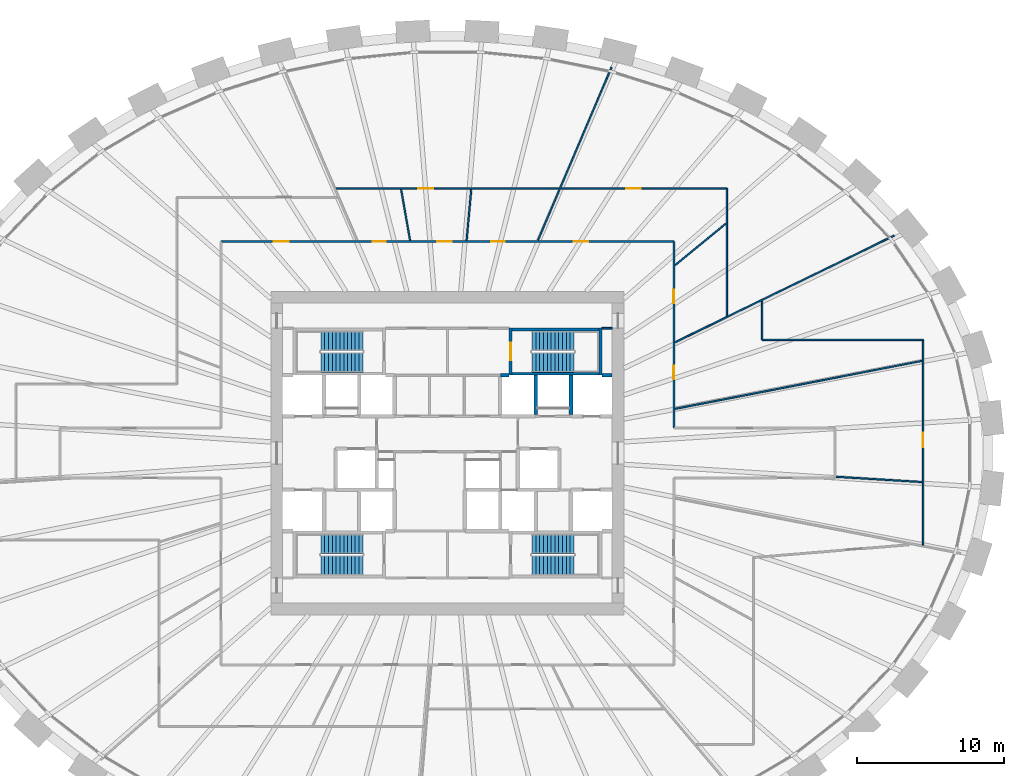
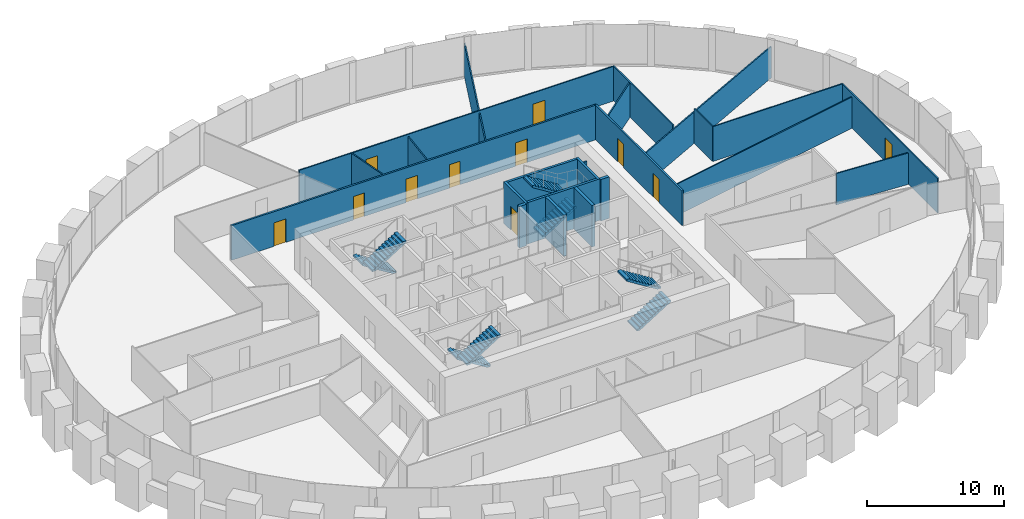
# One storey, part 9 of 10: 23 walls, 11 doors, 8 stair flights, 11 openings, 4 elements without a shape of their own.
"""IFC4 building model written with IfcOpenShell, lengths in metres."""

from ifc_helpers import new_model, si_unit, direction, frame, frame_2d, origin, place, context, subcontext, project, spatial, polyline, rectangle, outline, extrude, source, transform, mapped, material, layer, layer_set, type_object, element, fill, aggregate, save


model = new_model("IFC4")

# Units and contexts
model_context = context("Model", 3, precision=1e-05, world=origin(), true_north=direction((0.0, 1.0)))
body_context = subcontext(model_context, "Body", "Model", "MODEL_VIEW")
ifc_project = project(units=[si_unit("LENGTHUNIT", "METRE"), si_unit("AREAUNIT", "SQUARE_METRE"), si_unit("VOLUMEUNIT", "CUBIC_METRE"), si_unit("PLANEANGLEUNIT", "RADIAN"), si_unit("MASSUNIT", "GRAM", prefix="KILO")], contexts=[model_context])

# Site, building, storey
site_placement = place(None, origin())
site = spatial("IfcSite", under=ifc_project, at=site_placement, CompositionType="ELEMENT")
building_placement = place(site_placement, origin())
building = spatial("IfcBuilding", under=site, at=building_placement, Name="Embergate Tower", CompositionType="ELEMENT")
storey_placement = place(building_placement, frame((0.0, 0.0, 183.300048828125)))
storey = spatial("IfcBuildingStorey", under=building, at=storey_placement, Name="L41", CompositionType="ELEMENT", Elevation=183.300048828125)

# Walls
ifc_material_1 = material(Name="Concrete C50", Category="concrete")
ifc_layer_1 = layer(ifc_material_1, 0.25)
ifc_layer_set_1 = layer_set([ifc_layer_1], Name="Concrete C50")
wall_type_1 = type_object("IfcWallType", Name="Hoistway wall reinforced concrete 250", PredefinedType="SHEAR", material=ifc_layer_set_1)
shared_shape_1 = source(origin(), body_context, "Body", "SweptSolid", [
    extrude(rectangle(XDim=2.675048828125, YDim=0.25, at=frame_2d((1.33740234375, 0.0))), origin(), (0.0, 0.0, 1.0), 3.699951171875),
])
for number, where, z_axis, x_axis, name in (
    (1, (6.0, 2.625, 0.0), (0.0, 0.0, 1.0), (0.0, 1.0, 0.0), "HW-1 wall"),
    (2, (8.39990234375, 2.625, 0.0), (0.0, 0.0, 1.0), (0.0, 1.0, 0.0), "HW-1 wall"),
):
    element("IfcWall", number, at=place(storey_placement, frame(where, z_axis=z_axis, x_axis=x_axis)), inside=storey, type_object=wall_type_1, Name=name, PredefinedType="SHEAR", context=body_context, shape_type="MappedRepresentation", body=[
        mapped(shared_shape_1, transform((0.0, 0.0, 0.0))),
    ])
ifc_layer_2 = layer(ifc_material_1, 0.199951171875)
ifc_layer_set_2 = layer_set([ifc_layer_2], Name="Concrete C50")
wall_type_2 = type_object("IfcWallType", Name="Stair enclosure wall reinforced concrete 250", PredefinedType="SHEAR", material=ifc_layer_set_2)
shared_shape_2 = source(origin(), body_context, "Body", "SweptSolid", [
    extrude(rectangle(XDim=6.300048828125, YDim=0.199951171875, at=frame_2d((3.14990234375, 0.0))), origin(), (0.0, 0.0, 1.0), 3.699951171875),
])
for number, where, z_axis, x_axis, name in (
    (3, (10.5, 5.39990234375, 0.0), (0.0, 0.0, 1.0), (-1.0, 0.0, 0.0), "SE-1 wall"),
    (4, (10.5, 8.39990234375, 0.0), (0.0, 0.0, 1.0), (-1.0, 0.0, 0.0), "SE-1 wall"),
):
    element("IfcWall", number, at=place(storey_placement, frame(where, z_axis=z_axis, x_axis=x_axis)), inside=storey, type_object=wall_type_2, Name=name, PredefinedType="SHEAR", context=body_context, shape_type="MappedRepresentation", body=[
        mapped(shared_shape_2, transform((0.0, 0.0, 0.0))),
    ])

# Wall, opening, door
shared_shape_3 = source(origin(), body_context, "Body", "SweptSolid", [
    extrude(rectangle(XDim=3.199951171875, YDim=0.199951171875, at=frame_2d((1.60009765625, 0.0))), origin(), (0.0, 0.0, 1.0), 3.699951171875),
])
wall_1_placement = place(storey_placement, frame((4.300048828125, 8.5, 0.0), z_axis=(0.0, 0.0, 1.0), x_axis=(0.0, -1.0, 0.0)))
wall_1 = element("IfcWall", 5, at=wall_1_placement, inside=storey, type_object=wall_type_2, Name="SE-1 wall", PredefinedType="SHEAR", context=body_context, shape_type="MappedRepresentation", body=[
    mapped(shared_shape_3, transform((0.0, 0.0, 0.0))),
])
shared_shape_4 = source(origin(), body_context, "Body", "SweptSolid", [
    extrude(rectangle(XDim=1.199951171875, YDim=2.10009765625, at=frame_2d((0.60009765625, 1.050048828125))), frame((0.0, 0.10986328125, 0.0), z_axis=(0.0, -1.0, 0.0), x_axis=(1.0, 0.0, 0.0)), (0.0, 0.0, 1.0), 0.219970703125),
])
opening_1_placement = place(wall_1_placement, frame((1.0, 0.0, 0.0)))
opening_1 = element("IfcOpeningElement", 6, at=opening_1_placement, cuts=wall_1, Name="Opening IF-2", PredefinedType="OPENING", context=body_context, shape_type="MappedRepresentation", body=[
    mapped(shared_shape_4, transform((0.0, 0.0, 0.0))),
])
ifc_material_2 = material(Name="Stair enclosure door 1200")
door_type_1 = type_object("IfcDoorType", Name="Stair enclosure door 1200", OperationType="SINGLE_SWING_LEFT", PredefinedType="DOOR", material=ifc_material_2)
shared_shape_5 = source(origin(), body_context, "Body", "SweptSolid", [
    extrude(rectangle(XDim=1.199951171875, YDim=2.10009765625, at=frame_2d((0.60009765625, 1.050048828125))), frame((0.0, 0.02490234375, 0.0), z_axis=(0.0, -1.0, 0.0), x_axis=(1.0, 0.0, 0.0)), (0.0, 0.0, 1.0), 0.050048828125),
])
door_1_placement = place(opening_1_placement, origin())
door_1 = element("IfcDoor", 7, at=door_1_placement, inside=storey, type_object=door_type_1, Name="IF-2 door", OperationType="SINGLE_SWING_LEFT", OverallHeight=2.10009765625, OverallWidth=1.199951171875, PredefinedType="DOOR", context=body_context, shape_type="MappedRepresentation", body=[
    mapped(shared_shape_5, transform((0.0, 0.0, 0.0))),
])
fill(opening_1, door_1)

# Walls
shared_shape_6 = source(origin(), body_context, "Body", "SweptSolid", [
    extrude(rectangle(XDim=0.599853515625, YDim=0.25, at=frame_2d((0.2998046875, 0.0))), origin(), (0.0, 0.0, 1.0), 3.699951171875),
])
wall_2_placement = place(storey_placement, frame((4.199951171875, 5.300048828125, 0.0), z_axis=(0.0, 0.0, 1.0), x_axis=(-1.0, 0.0, 0.0)))
element("IfcWall", 8, at=wall_2_placement, inside=storey, type_object=wall_type_1, Name="HW-1 wall", PredefinedType="SHEAR", context=body_context, shape_type="MappedRepresentation", body=[
    mapped(shared_shape_6, transform((0.0, 0.0, 0.0))),
])
shared_shape_7 = source(origin(), body_context, "Body", "SweptSolid", [
    extrude(rectangle(XDim=3.196044921875, YDim=0.199951171875, at=frame_2d((1.59814453125, 0.0))), origin(), (0.0, 0.0, 1.0), 3.699951171875),
])
wall_3_placement = place(storey_placement, frame((10.39990234375, 5.302001953125, 0.0), z_axis=(0.0, 0.0, 1.0), x_axis=(0.0, 1.0, 0.0)))
element("IfcWall", 9, at=wall_3_placement, inside=storey, type_object=wall_type_2, Name="SE-1 wall", PredefinedType="SHEAR", context=body_context, shape_type="MappedRepresentation", body=[
    mapped(shared_shape_7, transform((0.0, 0.0, 0.0))),
])
shared_shape_8 = source(origin(), body_context, "Body", "SweptSolid", [
    extrude(rectangle(XDim=0.697998046875, YDim=0.25, at=frame_2d((0.34912109375, 0.0))), origin(), (0.0, 0.0, 1.0), 3.699951171875),
])
wall_4_placement = place(storey_placement, frame((11.199951171875, 5.300048828125, 0.0), z_axis=(0.0, 0.0, 1.0), x_axis=(-1.0, 0.0, 0.0)))
element("IfcWall", 10, at=wall_4_placement, inside=storey, type_object=wall_type_1, Name="HW-1 wall", PredefinedType="SHEAR", context=body_context, shape_type="MappedRepresentation", body=[
    mapped(shared_shape_8, transform((0.0, 0.0, 0.0))),
])
ifc_material_3 = material(Name="Core partition blockwork 120")
ifc_layer_3 = layer(ifc_material_3, 0.1201171875)
ifc_layer_set_3 = layer_set([ifc_layer_3], Name="Core partition blockwork 120")
wall_type_3 = type_object("IfcWallType", Name="Core partition blockwork 120", PredefinedType="PARTITIONING", material=ifc_layer_set_3)
shared_shape_9 = source(origin(), body_context, "Body", "SweptSolid", [
    extrude(rectangle(XDim=0.697998046875, YDim=0.1201171875, at=frame_2d((0.34912109375, 0.0))), origin(), (0.0, 0.0, 1.0), 3.099853515625),
])
wall_5_placement = place(storey_placement, frame((10.501953125, 8.5, 0.0), z_axis=(0.0, 0.0, 1.0), x_axis=(1.0, 0.0, 0.0)))
element("IfcWall", 11, at=wall_5_placement, inside=storey, type_object=wall_type_3, Name="IP-3 wall", PredefinedType="PARTITIONING", context=body_context, shape_type="MappedRepresentation", body=[
    mapped(shared_shape_9, transform((0.0, 0.0, 0.0))),
])
ifc_material_4 = material(Name="Partition dry-lined 100")
ifc_layer_4 = layer(ifc_material_4, 0.10009765625)
ifc_layer_set_4 = layer_set([ifc_layer_4], Name="Partition dry-lined 100")
wall_type_4 = type_object("IfcWallType", Name="Partition dry-lined 100", PredefinedType="PARTITIONING", material=ifc_layer_set_4)
shared_shape_10 = source(origin(), body_context, "Body", "SweptSolid", [
    extrude(rectangle(XDim=5.885986328125, YDim=0.10009765625, at=frame_2d((2.94287109375, 0.0))), origin(), (0.0, 0.0, 1.0), 2.800048828125),
])
wall_6_placement = place(storey_placement, frame((32.300048828125, -1.966064453125, 0.0), z_axis=(0.0, 0.0, 1.0), x_axis=(-0.998146954273, 0.060849467334, 0.0)))
element("IfcWall", 12, at=wall_6_placement, inside=storey, type_object=wall_type_4, Name="IP-1 wall", PredefinedType="PARTITIONING", context=body_context, shape_type="MappedRepresentation", body=[
    mapped(shared_shape_10, transform((0.0, 0.0, 0.0))),
])
shared_shape_11 = source(origin(), body_context, "Body", "SweptSolid", [
    extrude(rectangle(XDim=17.12060546875, YDim=0.10009765625, at=frame_2d((8.560302734375, 0.0))), origin(), (0.0, 0.0, 1.0), 2.800048828125),
])
wall_7_placement = place(storey_placement, frame((15.485107421875, 3.010986328125, 0.0), z_axis=(0.0, 0.0, 1.0), x_axis=(0.981612643598, 0.190883781211, 0.0)))
element("IfcWall", 13, at=wall_7_placement, inside=storey, type_object=wall_type_4, Name="IP-1 wall", PredefinedType="PARTITIONING", context=body_context, shape_type="MappedRepresentation", body=[
    mapped(shared_shape_11, transform((0.0, 0.0, 0.0))),
])
shared_shape_12 = source(origin(), body_context, "Body", "SweptSolid", [
    extrude(rectangle(XDim=16.563720703125, YDim=0.10009765625, at=frame_2d((8.28173828125, 0.0))), origin(), (0.0, 0.0, 1.0), 2.800048828125),
])
wall_8_placement = place(storey_placement, frame((15.4970703125, 7.547119140625, 0.0), z_axis=(0.0, 0.0, 1.0), x_axis=(0.899062324196, 0.437820667867, 0.0)))
element("IfcWall", 14, at=wall_8_placement, inside=storey, type_object=wall_type_4, Name="IP-1 wall", PredefinedType="PARTITIONING", context=body_context, shape_type="MappedRepresentation", body=[
    mapped(shared_shape_12, transform((0.0, 0.0, 0.0))),
])
shared_shape_13 = source(origin(), body_context, "Body", "SweptSolid", [
    extrude(rectangle(XDim=12.767333984375, YDim=0.10009765625, at=frame_2d((6.3837890625, 0.0))), origin(), (0.0, 0.0, 1.0), 2.89990234375),
])
wall_9_placement = place(storey_placement, frame((6.1650390625, 14.4951171875, 0.0), z_axis=(0.0, 0.0, 1.0), x_axis=(0.391395319475, 0.92022263822, 0.0)))
element("IfcWall", 15, at=wall_9_placement, inside=storey, type_object=wall_type_4, Name="IP-1 wall", PredefinedType="PARTITIONING", context=body_context, shape_type="MappedRepresentation", body=[
    mapped(shared_shape_13, transform((0.0, 0.0, 0.0))),
])
shared_shape_14 = source(origin(), body_context, "Body", "SweptSolid", [
    extrude(rectangle(XDim=3.489013671875, YDim=0.10009765625, at=frame_2d((1.74462890625, 0.0))), origin(), (0.0, 0.0, 1.0), 2.89990234375),
])
wall_10_placement = place(storey_placement, frame((1.306884765625, 14.47509765625, 0.0), z_axis=(0.0, 0.0, 1.0), x_axis=(0.090056243152, 0.995936681255, 0.0)))
element("IfcWall", 16, at=wall_10_placement, inside=storey, type_object=wall_type_4, Name="IP-1 wall", PredefinedType="PARTITIONING", context=body_context, shape_type="MappedRepresentation", body=[
    mapped(shared_shape_14, transform((0.0, 0.0, 0.0))),
])

# Wall, openings, doors
ifc_material_5 = material(Name="Corridor wall dry-lined 150")
ifc_layer_5 = layer(ifc_material_5, 0.14990234375)
ifc_layer_set_5 = layer_set([ifc_layer_5], Name="Corridor wall dry-lined 150")
wall_type_5 = type_object("IfcWallType", Name="Corridor wall dry-lined 150", PredefinedType="PARTITIONING", material=ifc_layer_set_5)
shared_shape_15 = source(origin(), body_context, "Body", "SweptSolid", [
    extrude(rectangle(XDim=12.699951171875, YDim=0.14990234375, at=frame_2d((6.35009765625, 0.0))), origin(), (0.0, 0.0, 1.0), 3.099853515625),
])
wall_11_placement = place(storey_placement, frame((15.39990234375, 14.39990234375, 0.0), z_axis=(0.0, 0.0, 1.0), x_axis=(0.0, -1.0, 0.0)))
wall_11 = element("IfcWall", 17, at=wall_11_placement, inside=storey, type_object=wall_type_5, Name="IP-2 wall", PredefinedType="PARTITIONING", context=body_context, shape_type="MappedRepresentation", body=[
    mapped(shared_shape_15, transform((0.0, 0.0, 0.0))),
])
shared_shape_16 = source(origin(), body_context, "Body", "SweptSolid", [
    extrude(rectangle(XDim=0.89990234375, YDim=2.10009765625, at=frame_2d((0.449951171875, 1.050048828125))), frame((0.0, 0.0849609375, 0.0), z_axis=(0.0, -1.0, 0.0), x_axis=(1.0, 0.0, 0.0)), (0.0, 0.0, 1.0), 0.169921875),
])
opening_2_placement = place(wall_11_placement, frame((8.4619140625, 0.0, 0.0)))
opening_2 = element("IfcOpeningElement", 18, at=opening_2_placement, cuts=wall_11, Name="Opening IF-1c", PredefinedType="OPENING", context=body_context, shape_type="MappedRepresentation", body=[
    mapped(shared_shape_16, transform((0.0, 0.0, 0.0))),
])
opening_3_placement = place(wall_11_placement, frame((3.2939453125, 0.0, 0.0)))
opening_3 = element("IfcOpeningElement", 19, at=opening_3_placement, cuts=wall_11, Name="Opening IF-1c", PredefinedType="OPENING", context=body_context, shape_type="MappedRepresentation", body=[
    mapped(shared_shape_16, transform((0.0, 0.0, 0.0))),
])
ifc_material_6 = material(Name="Escape fire door 900")
door_type_2 = type_object("IfcDoorType", Name="Escape fire door 900", OperationType="SINGLE_SWING_LEFT", PredefinedType="DOOR", material=ifc_material_6)
shared_shape_17 = source(origin(), body_context, "Body", "SweptSolid", [
    extrude(rectangle(XDim=0.89990234375, YDim=2.10009765625, at=frame_2d((0.449951171875, 1.050048828125))), frame((0.0, 0.02490234375, 0.0), z_axis=(0.0, -1.0, 0.0), x_axis=(1.0, 0.0, 0.0)), (0.0, 0.0, 1.0), 0.050048828125),
])
door_2_placement = place(opening_2_placement, origin())
door_2 = element("IfcDoor", 20, at=door_2_placement, inside=storey, type_object=door_type_2, Name="IF-1 door", OperationType="SINGLE_SWING_LEFT", OverallHeight=2.10009765625, OverallWidth=0.89990234375, PredefinedType="DOOR", context=body_context, shape_type="MappedRepresentation", body=[
    mapped(shared_shape_17, transform((0.0, 0.0, 0.0))),
])
fill(opening_2, door_2)
door_3_placement = place(opening_3_placement, origin())
door_3 = element("IfcDoor", 21, at=door_3_placement, inside=storey, type_object=door_type_2, Name="IF-1 door", OperationType="SINGLE_SWING_RIGHT", OverallHeight=2.10009765625, OverallWidth=0.89990234375, PredefinedType="DOOR", context=body_context, shape_type="MappedRepresentation", body=[
    mapped(shared_shape_17, transform((0.0, 0.0, 0.0))),
])
fill(opening_3, door_3)

shared_shape_18 = source(origin(), body_context, "Body", "SweptSolid", [
    extrude(rectangle(XDim=30.7998046875, YDim=0.14990234375, at=frame_2d((15.39990234375, 0.0))), origin(), (0.0, 0.0, 1.0), 3.099853515625),
])
wall_12_placement = place(storey_placement, frame((-15.39990234375, 14.39990234375, 0.0), z_axis=(0.0, 0.0, 1.0), x_axis=(1.0, 0.0, 0.0)))
wall_12 = element("IfcWall", 22, at=wall_12_placement, inside=storey, type_object=wall_type_5, Name="IP-2 wall", PredefinedType="PARTITIONING", context=body_context, shape_type="MappedRepresentation", body=[
    mapped(shared_shape_18, transform((0.0, 0.0, 0.0))),
])
shared_shape_19 = source(origin(), body_context, "Body", "SweptSolid", [
    extrude(rectangle(XDim=1.0, YDim=2.10009765625, at=frame_2d((0.5, 1.050048828125))), frame((0.0, 0.0849609375, 0.0), z_axis=(0.0, -1.0, 0.0), x_axis=(1.0, 0.0, 0.0)), (0.0, 0.0, 1.0), 0.169921875),
])
opening_4_placement = place(wall_12_placement, frame((23.97412109375, 0.0, 0.0)))
opening_4 = element("IfcOpeningElement", 23, at=opening_4_placement, cuts=wall_12, Name="Opening ID-2", PredefinedType="OPENING", context=body_context, shape_type="MappedRepresentation", body=[
    mapped(shared_shape_19, transform((0.0, 0.0, 0.0))),
])
opening_5_placement = place(wall_12_placement, frame((18.39697265625, 0.0, 0.0)))
opening_5 = element("IfcOpeningElement", 24, at=opening_5_placement, cuts=wall_12, Name="Opening IF-1c", PredefinedType="OPENING", context=body_context, shape_type="MappedRepresentation", body=[
    mapped(shared_shape_16, transform((0.0, 0.0, 0.0))),
])
opening_6_placement = place(wall_12_placement, frame((14.708984375, 0.0, 0.0)))
opening_6 = element("IfcOpeningElement", 25, at=opening_6_placement, cuts=wall_12, Name="Opening ID-2", PredefinedType="OPENING", context=body_context, shape_type="MappedRepresentation", body=[
    mapped(shared_shape_19, transform((0.0, 0.0, 0.0))),
])
opening_7_placement = place(wall_12_placement, frame((10.30908203125, 0.0, 0.0)))
opening_7 = element("IfcOpeningElement", 26, at=opening_7_placement, cuts=wall_12, Name="Opening IF-1c", PredefinedType="OPENING", context=body_context, shape_type="MappedRepresentation", body=[
    mapped(shared_shape_16, transform((0.0, 0.0, 0.0))),
])
opening_8_placement = place(wall_12_placement, frame((3.60009765625, 0.0, 0.0)))
opening_8 = element("IfcOpeningElement", 27, at=opening_8_placement, cuts=wall_12, Name="Opening ID-2", PredefinedType="OPENING", context=body_context, shape_type="MappedRepresentation", body=[
    mapped(shared_shape_19, transform((0.0, 0.0, 0.0))),
])
door_4_placement = place(opening_5_placement, origin())
door_4 = element("IfcDoor", 28, at=door_4_placement, inside=storey, type_object=door_type_2, Name="IF-1 door", OperationType="SINGLE_SWING_RIGHT", OverallHeight=2.10009765625, OverallWidth=0.89990234375, PredefinedType="DOOR", context=body_context, shape_type="MappedRepresentation", body=[
    mapped(shared_shape_17, transform((0.0, 0.0, 0.0))),
])
fill(opening_5, door_4)
door_5_placement = place(opening_7_placement, origin())
door_5 = element("IfcDoor", 29, at=door_5_placement, inside=storey, type_object=door_type_2, Name="IF-1 door", OperationType="SINGLE_SWING_LEFT", OverallHeight=2.10009765625, OverallWidth=0.89990234375, PredefinedType="DOOR", context=body_context, shape_type="MappedRepresentation", body=[
    mapped(shared_shape_17, transform((0.0, 0.0, 0.0))),
])
fill(opening_7, door_5)
ifc_material_7 = material(Name="Interior door 1000")
door_type_3 = type_object("IfcDoorType", Name="Interior door 1000", OperationType="SINGLE_SWING_LEFT", PredefinedType="DOOR", material=ifc_material_7)
shared_shape_20 = source(origin(), body_context, "Body", "SweptSolid", [
    extrude(rectangle(XDim=1.0, YDim=2.10009765625, at=frame_2d((0.5, 1.050048828125))), frame((0.0, 0.02490234375, 0.0), z_axis=(0.0, -1.0, 0.0), x_axis=(1.0, 0.0, 0.0)), (0.0, 0.0, 1.0), 0.050048828125),
])
door_6_placement = place(opening_4_placement, origin())
door_6 = element("IfcDoor", 30, at=door_6_placement, inside=storey, type_object=door_type_3, Name="ID-2 door", OperationType="SINGLE_SWING_RIGHT", OverallHeight=2.10009765625, OverallWidth=1.0, PredefinedType="DOOR", context=body_context, shape_type="MappedRepresentation", body=[
    mapped(shared_shape_20, transform((0.0, 0.0, 0.0))),
])
fill(opening_4, door_6)
door_7_placement = place(opening_6_placement, origin())
door_7 = element("IfcDoor", 31, at=door_7_placement, inside=storey, type_object=door_type_3, Name="ID-2 door", OperationType="SINGLE_SWING_LEFT", OverallHeight=2.10009765625, OverallWidth=1.0, PredefinedType="DOOR", context=body_context, shape_type="MappedRepresentation", body=[
    mapped(shared_shape_20, transform((0.0, 0.0, 0.0))),
])
fill(opening_6, door_7)
door_8_placement = place(opening_8_placement, origin())
door_8 = element("IfcDoor", 32, at=door_8_placement, inside=storey, type_object=door_type_3, Name="ID-2 door", OperationType="SINGLE_SWING_RIGHT", OverallHeight=2.10009765625, OverallWidth=1.0, PredefinedType="DOOR", context=body_context, shape_type="MappedRepresentation", body=[
    mapped(shared_shape_20, transform((0.0, 0.0, 0.0))),
])
fill(opening_8, door_8)

# Wall, opening, door
shared_shape_21 = source(origin(), body_context, "Body", "SweptSolid", [
    extrude(rectangle(XDim=13.9619140625, YDim=0.10009765625, at=frame_2d((6.98095703125, 0.0))), origin(), (0.0, 0.0, 1.0), 3.099853515625),
])
wall_13_placement = place(storey_placement, frame((32.35009765625, 7.699951171875, 0.0), z_axis=(0.0, 0.0, 1.0), x_axis=(0.0, -1.0, 0.0)))
wall_13 = element("IfcWall", 33, at=wall_13_placement, inside=storey, type_object=wall_type_4, Name="IP-1 wall", PredefinedType="PARTITIONING", context=body_context, shape_type="MappedRepresentation", body=[
    mapped(shared_shape_21, transform((0.0, 0.0, 0.0))),
])
shared_shape_22 = source(origin(), body_context, "Body", "SweptSolid", [
    extrude(rectangle(XDim=1.0, YDim=2.10009765625, at=frame_2d((0.5, 1.050048828125))), frame((0.0, 0.06005859375, 0.0), z_axis=(0.0, -1.0, 0.0), x_axis=(1.0, 0.0, 0.0)), (0.0, 0.0, 1.0), 0.1201171875),
])
opening_9_placement = place(wall_13_placement, frame((6.303955078125, 0.0, 0.0)))
opening_9 = element("IfcOpeningElement", 34, at=opening_9_placement, cuts=wall_13, Name="Opening ID-2", PredefinedType="OPENING", context=body_context, shape_type="MappedRepresentation", body=[
    mapped(shared_shape_22, transform((0.0, 0.0, 0.0))),
])
door_9_placement = place(opening_9_placement, origin())
door_9 = element("IfcDoor", 35, at=door_9_placement, inside=storey, type_object=door_type_3, Name="ID-2 door", OperationType="SINGLE_SWING_LEFT", OverallHeight=2.10009765625, OverallWidth=1.0, PredefinedType="DOOR", context=body_context, shape_type="MappedRepresentation", body=[
    mapped(shared_shape_20, transform((0.0, 0.0, 0.0))),
])
fill(opening_9, door_9)

# Walls
shared_shape_23 = source(origin(), body_context, "Body", "SweptSolid", [
    extrude(rectangle(XDim=2.64208984375, YDim=0.10009765625, at=frame_2d((1.321044921875, 0.0))), origin(), (0.0, 0.0, 1.0), 3.099853515625),
])
wall_14_placement = place(storey_placement, frame((21.39990234375, 10.342041015625, 0.0), z_axis=(0.0, 0.0, 1.0), x_axis=(0.0, -1.0, 0.0)))
element("IfcWall", 36, at=wall_14_placement, inside=storey, type_object=wall_type_4, Name="IP-1 wall", PredefinedType="PARTITIONING", context=body_context, shape_type="MappedRepresentation", body=[
    mapped(shared_shape_23, transform((0.0, 0.0, 0.0))),
])
shared_shape_24 = source(origin(), body_context, "Body", "SweptSolid", [
    extrude(rectangle(XDim=10.9501953125, YDim=0.10009765625, at=frame_2d((5.47509765625, 0.0))), origin(), (0.0, 0.0, 1.0), 3.099853515625),
])
wall_15_placement = place(storey_placement, frame((21.39990234375, 7.699951171875, 0.0), z_axis=(0.0, 0.0, 1.0), x_axis=(1.0, 0.0, 0.0)))
element("IfcWall", 37, at=wall_15_placement, inside=storey, type_object=wall_type_4, Name="IP-1 wall", PredefinedType="PARTITIONING", context=body_context, shape_type="MappedRepresentation", body=[
    mapped(shared_shape_24, transform((0.0, 0.0, 0.0))),
])
shared_shape_25 = source(origin(), body_context, "Body", "SweptSolid", [
    extrude(rectangle(XDim=4.421875, YDim=0.10009765625, at=frame_2d((2.2109375, 0.0))), origin(), (0.0, 0.0, 1.0), 3.099853515625),
])
wall_16_placement = place(storey_placement, frame((15.507080078125, 12.7890625, 0.0), z_axis=(0.0, 0.0, 1.0), x_axis=(0.77137531128, 0.63638049086, 0.0)))
element("IfcWall", 38, at=wall_16_placement, inside=storey, type_object=wall_type_4, Name="IP-1 wall", PredefinedType="PARTITIONING", context=body_context, shape_type="MappedRepresentation", body=[
    mapped(shared_shape_25, transform((0.0, 0.0, 0.0))),
])
shared_shape_26 = source(origin(), body_context, "Body", "SweptSolid", [
    extrude(rectangle(XDim=8.6669921875, YDim=0.10009765625, at=frame_2d((4.33349609375, 0.0))), origin(), (0.0, 0.0, 1.0), 3.099853515625),
])
wall_17_placement = place(storey_placement, frame((19.0, 18.0, 0.0), z_axis=(0.0, 0.0, 1.0), x_axis=(0.0, -1.0, 0.0)))
element("IfcWall", 39, at=wall_17_placement, inside=storey, type_object=wall_type_4, Name="IP-1 wall", PredefinedType="PARTITIONING", context=body_context, shape_type="MappedRepresentation", body=[
    mapped(shared_shape_26, transform((0.0, 0.0, 0.0))),
])

# Wall, openings, doors
shared_shape_27 = source(origin(), body_context, "Body", "SweptSolid", [
    extrude(rectangle(XDim=26.580078125, YDim=0.10009765625, at=frame_2d((13.2900390625, 0.0))), origin(), (0.0, 0.0, 1.0), 3.099853515625),
])
wall_18_placement = place(storey_placement, frame((-7.580078125, 18.0, 0.0), z_axis=(0.0, 0.0, 1.0), x_axis=(1.0, 0.0, 0.0)))
wall_18 = element("IfcWall", 40, at=wall_18_placement, inside=storey, type_object=wall_type_4, Name="IP-1 wall", PredefinedType="PARTITIONING", context=body_context, shape_type="MappedRepresentation", body=[
    mapped(shared_shape_27, transform((0.0, 0.0, 0.0))),
])
opening_10_placement = place(wall_18_placement, frame((19.72607421875, 0.0, 0.0)))
opening_10 = element("IfcOpeningElement", 41, at=opening_10_placement, cuts=wall_18, Name="Opening ID-2", PredefinedType="OPENING", context=body_context, shape_type="MappedRepresentation", body=[
    mapped(shared_shape_22, transform((0.0, 0.0, 0.0))),
])
opening_11_placement = place(wall_18_placement, frame((5.611083984375, 0.0, 0.0)))
opening_11 = element("IfcOpeningElement", 42, at=opening_11_placement, cuts=wall_18, Name="Opening ID-2", PredefinedType="OPENING", context=body_context, shape_type="MappedRepresentation", body=[
    mapped(shared_shape_22, transform((0.0, 0.0, 0.0))),
])
door_10_placement = place(opening_10_placement, origin())
door_10 = element("IfcDoor", 43, at=door_10_placement, inside=storey, type_object=door_type_3, Name="ID-2 door", OperationType="SINGLE_SWING_RIGHT", OverallHeight=2.10009765625, OverallWidth=1.0, PredefinedType="DOOR", context=body_context, shape_type="MappedRepresentation", body=[
    mapped(shared_shape_20, transform((0.0, 0.0, 0.0))),
])
fill(opening_10, door_10)
door_11_placement = place(opening_11_placement, origin())
door_11 = element("IfcDoor", 44, at=door_11_placement, inside=storey, type_object=door_type_3, Name="ID-2 door", OperationType="SINGLE_SWING_RIGHT", OverallHeight=2.10009765625, OverallWidth=1.0, PredefinedType="DOOR", context=body_context, shape_type="MappedRepresentation", body=[
    mapped(shared_shape_20, transform((0.0, 0.0, 0.0))),
])
fill(opening_11, door_11)

# Wall
shared_shape_28 = source(origin(), body_context, "Body", "SweptSolid", [
    extrude(rectangle(XDim=3.510009765625, YDim=0.10009765625, at=frame_2d((1.7548828125, 0.0))), origin(), (0.0, 0.0, 1.0), 3.099853515625),
])
wall_19_placement = place(storey_placement, frame((-2.54296875, 14.48388671875, 0.0), z_axis=(0.0, 0.0, 1.0), x_axis=(-0.173190123046, 0.984888410572, 0.0)))
element("IfcWall", 45, at=wall_19_placement, inside=storey, type_object=wall_type_4, Name="IP-1 wall", PredefinedType="PARTITIONING", context=body_context, shape_type="MappedRepresentation", body=[
    mapped(shared_shape_28, transform((0.0, 0.0, 0.0))),
])

# Stair, stair flights
ifc_material_8 = material(Name="Exit stair")
stair_type = type_object("IfcStairType", Name="Exit stair", PredefinedType="HALF_TURN_STAIR", material=ifc_material_8)
stair_1_placement = place(storey_placement, origin())
stair_1 = element("IfcStair", 46, at=stair_1_placement, inside=storey, type_object=stair_type, Name="L41 Exit stair 1", PredefinedType="HALF_TURN_STAIR")
ifc_material_9 = material(Name="Concrete C40", Category="concrete")
stair_flight_type = type_object("IfcStairFlightType", Name="Stair flight reinforced concrete", PredefinedType="STRAIGHT", material=ifc_material_9)
shared_shape_29 = source(origin(), body_context, "Body", "SweptSolid", [
    extrude(outline(polyline([(0.0, 0.0), (0.0, 0.16259765625), (0.260009765625, 0.16259765625), (0.260009765625, 0.324951171875), (0.52001953125, 0.324951171875), (0.52001953125, 0.487548828125), (0.780029296875, 0.487548828125), (0.780029296875, 0.64990234375), (1.0400390625, 0.64990234375), (1.0400390625, 0.8125), (1.300048828125, 0.8125), (1.300048828125, 0.97509765625), (1.56005859375, 0.97509765625), (1.56005859375, 1.137451171875), (1.820068359375, 1.137451171875), (1.820068359375, 1.300048828125), (2.080078125, 1.300048828125), (2.080078125, 1.46240234375), (2.340087890625, 1.46240234375), (2.340087890625, 1.625), (2.60009765625, 1.625), (2.60009765625, 1.78759765625), (2.860107421875, 1.78759765625), (2.860107421875, 1.949951171875), (2.860107421875, 1.61083984375), (0.28271484375, 0.0), (0.0, 0.0)])), frame((0.0, 0.675048828125, 0.0), z_axis=(0.0, -1.0, 0.0), x_axis=(1.0, 0.0, 0.0)), (0.0, 0.0, 1.0), 1.35009765625),
])
stair_flight_1_placement = place(storey_placement, frame((-5.75, 7.625, 0.0), z_axis=(0.0, 0.0, 1.0), x_axis=(-1.0, 0.0, 0.0)))
stair_flight_1 = element("IfcStairFlight", 47, at=stair_flight_1_placement, type_object=stair_flight_type, Name="ST1 flight 1", NumberOfRisers=12, NumberOfTreads=11, PredefinedType="STRAIGHT", RiserHeight=0.1625, TreadLength=0.26, context=body_context, shape_type="MappedRepresentation", body=[
    mapped(shared_shape_29, transform((0.0, 0.0, 0.0))),
])
stair_flight_2_placement = place(storey_placement, frame((-8.610107421875, 6.175048828125, 1.949951171875), z_axis=(0.0, 0.0, 1.0), x_axis=(1.0, 0.0, 0.0)))
stair_flight_2 = element("IfcStairFlight", 48, at=stair_flight_2_placement, type_object=stair_flight_type, Name="ST1 flight 2", NumberOfRisers=12, NumberOfTreads=11, PredefinedType="STRAIGHT", RiserHeight=0.1625, TreadLength=0.26, context=body_context, shape_type="MappedRepresentation", body=[
    mapped(shared_shape_29, transform((0.0, 0.0, 0.0))),
])
aggregate(stair_1, [stair_flight_1, stair_flight_2])

stair_2_placement = place(storey_placement, origin())
stair_2 = element("IfcStair", 49, at=stair_2_placement, inside=storey, type_object=stair_type, Name="L41 Exit stair 2", PredefinedType="HALF_TURN_STAIR")
stair_flight_3_placement = place(storey_placement, frame((5.75, 6.175048828125, 0.0), z_axis=(0.0, 0.0, 1.0), x_axis=(1.0, 0.0, 0.0)))
stair_flight_3 = element("IfcStairFlight", 50, at=stair_flight_3_placement, type_object=stair_flight_type, Name="ST2 flight 1", NumberOfRisers=12, NumberOfTreads=11, PredefinedType="STRAIGHT", RiserHeight=0.1625, TreadLength=0.26, context=body_context, shape_type="MappedRepresentation", body=[
    mapped(shared_shape_29, transform((0.0, 0.0, 0.0))),
])
stair_flight_4_placement = place(storey_placement, frame((8.610107421875, 7.625, 1.949951171875), z_axis=(0.0, 0.0, 1.0), x_axis=(-1.0, 0.0, 0.0)))
stair_flight_4 = element("IfcStairFlight", 51, at=stair_flight_4_placement, type_object=stair_flight_type, Name="ST2 flight 2", NumberOfRisers=12, NumberOfTreads=11, PredefinedType="STRAIGHT", RiserHeight=0.1625, TreadLength=0.26, context=body_context, shape_type="MappedRepresentation", body=[
    mapped(shared_shape_29, transform((0.0, 0.0, 0.0))),
])
aggregate(stair_2, [stair_flight_3, stair_flight_4])

stair_3_placement = place(storey_placement, origin())
stair_3 = element("IfcStair", 52, at=stair_3_placement, inside=storey, type_object=stair_type, Name="L41 Exit stair 3", PredefinedType="HALF_TURN_STAIR")
stair_flight_5_placement = place(storey_placement, frame((-5.75, -6.175048828125, 0.0), z_axis=(0.0, 0.0, 1.0), x_axis=(-1.0, 0.0, 0.0)))
stair_flight_5 = element("IfcStairFlight", 53, at=stair_flight_5_placement, type_object=stair_flight_type, Name="ST3 flight 1", NumberOfRisers=12, NumberOfTreads=11, PredefinedType="STRAIGHT", RiserHeight=0.1625, TreadLength=0.26, context=body_context, shape_type="MappedRepresentation", body=[
    mapped(shared_shape_29, transform((0.0, 0.0, 0.0))),
])
stair_flight_6_placement = place(storey_placement, frame((-8.610107421875, -7.625, 1.949951171875), z_axis=(0.0, 0.0, 1.0), x_axis=(1.0, 0.0, 0.0)))
stair_flight_6 = element("IfcStairFlight", 54, at=stair_flight_6_placement, type_object=stair_flight_type, Name="ST3 flight 2", NumberOfRisers=12, NumberOfTreads=11, PredefinedType="STRAIGHT", RiserHeight=0.1625, TreadLength=0.26, context=body_context, shape_type="MappedRepresentation", body=[
    mapped(shared_shape_29, transform((0.0, 0.0, 0.0))),
])
aggregate(stair_3, [stair_flight_5, stair_flight_6])

stair_4_placement = place(storey_placement, origin())
stair_4 = element("IfcStair", 55, at=stair_4_placement, inside=storey, type_object=stair_type, Name="L41 Exit stair 4", PredefinedType="HALF_TURN_STAIR")
stair_flight_7_placement = place(storey_placement, frame((5.75, -7.625, 0.0), z_axis=(0.0, 0.0, 1.0), x_axis=(1.0, 0.0, 0.0)))
stair_flight_7 = element("IfcStairFlight", 56, at=stair_flight_7_placement, type_object=stair_flight_type, Name="ST4 flight 1", NumberOfRisers=12, NumberOfTreads=11, PredefinedType="STRAIGHT", RiserHeight=0.1625, TreadLength=0.26, context=body_context, shape_type="MappedRepresentation", body=[
    mapped(shared_shape_29, transform((0.0, 0.0, 0.0))),
])
stair_flight_8_placement = place(storey_placement, frame((8.610107421875, -6.175048828125, 1.949951171875), z_axis=(0.0, 0.0, 1.0), x_axis=(-1.0, 0.0, 0.0)))
stair_flight_8 = element("IfcStairFlight", 57, at=stair_flight_8_placement, type_object=stair_flight_type, Name="ST4 flight 2", NumberOfRisers=12, NumberOfTreads=11, PredefinedType="STRAIGHT", RiserHeight=0.1625, TreadLength=0.26, context=body_context, shape_type="MappedRepresentation", body=[
    mapped(shared_shape_29, transform((0.0, 0.0, 0.0))),
])
aggregate(stair_4, [stair_flight_7, stair_flight_8])

save(model, "model.ifc")
